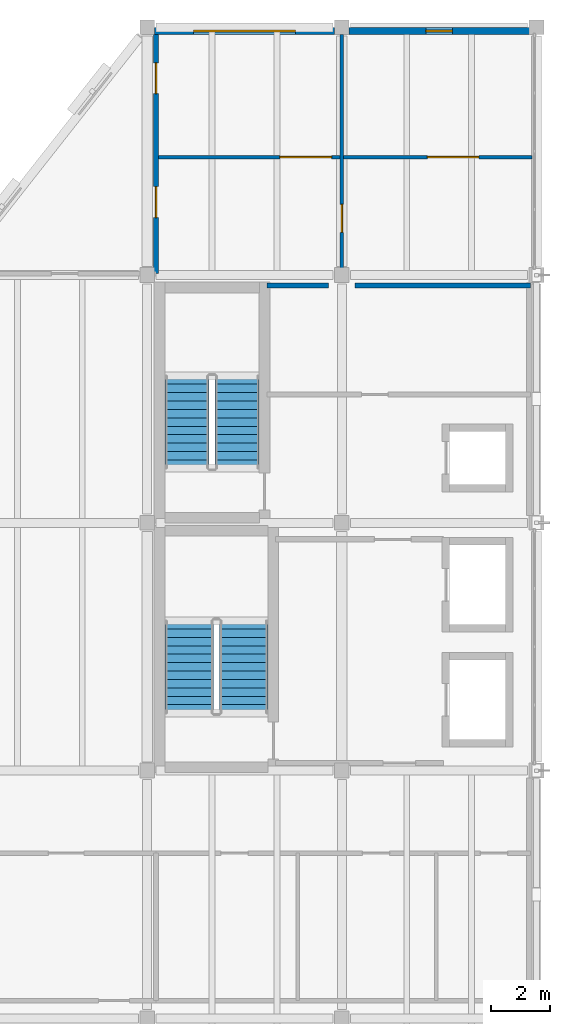
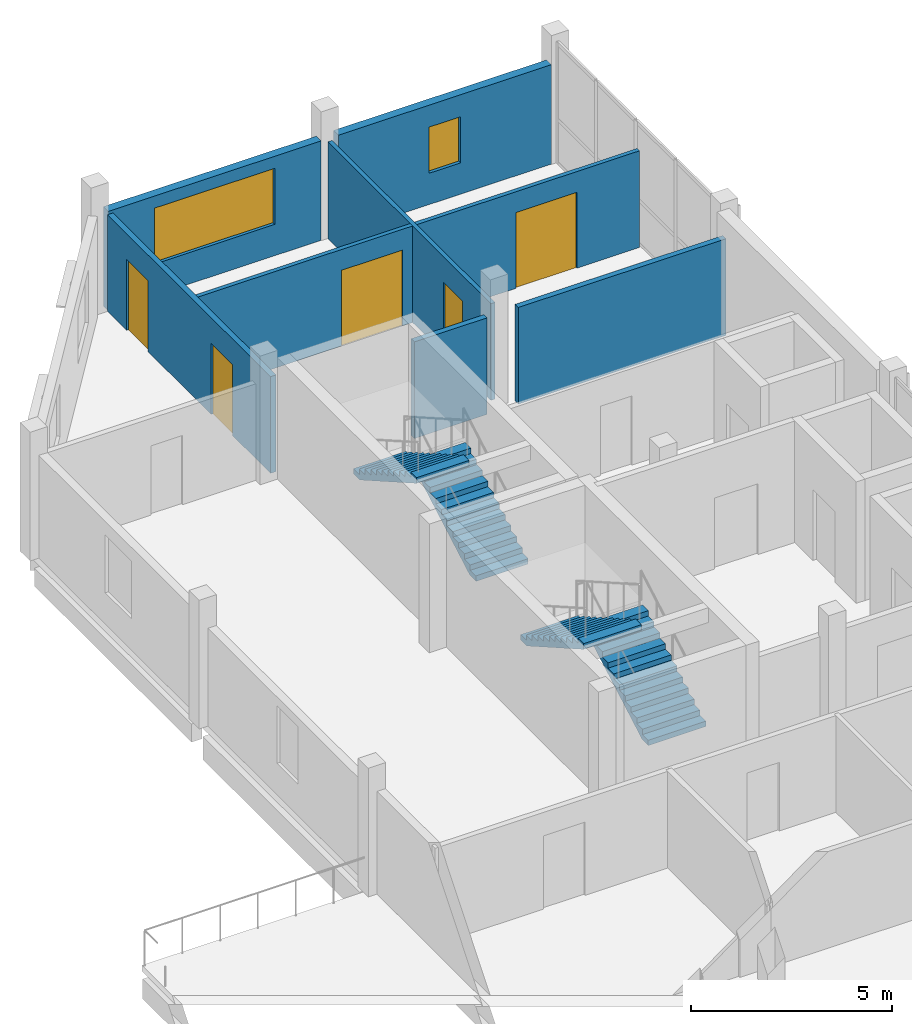
# One storey, part 6 of 9: 7 walls, 5 doors, 4 stair flights, 2 windows, 7 openings, 2 elements without a shape of their own.
"""IFC4 building model written with IfcOpenShell, lengths in metres."""

from ifc_helpers import new_model, si_unit, direction, frame, frame_2d, origin, place, context, subcontext, project, spatial, polyline, rectangle, outline, extrude, material, layer, layer_set, type_object, element, fill, aggregate, save


model = new_model("IFC4")

# Units and contexts
model_context = context("Model", 3, precision=1e-05, world=origin(), true_north=direction((0.0, 1.0)))
body_context = subcontext(model_context, "Body", "Model", "MODEL_VIEW")
ifc_project = project(units=[si_unit("LENGTHUNIT", "METRE"), si_unit("AREAUNIT", "SQUARE_METRE"), si_unit("VOLUMEUNIT", "CUBIC_METRE"), si_unit("PLANEANGLEUNIT", "RADIAN"), si_unit("MASSUNIT", "GRAM", prefix="KILO")], contexts=[model_context])

# Site, building, storey
site_placement = place(None, origin())
site = spatial("IfcSite", under=ifc_project, at=site_placement, CompositionType="ELEMENT")
building_placement = place(site_placement, origin())
building = spatial("IfcBuilding", under=site, at=building_placement, Name="Qaldarim Faculty of Natural and Applied Sciences", CompositionType="ELEMENT")
storey_placement = place(building_placement, frame((0.0, 0.0, 43.199951171875)))
storey = spatial("IfcBuildingStorey", under=building, at=storey_placement, Name="L10", CompositionType="ELEMENT", Elevation=43.199951171875)

# Wall, opening, door
ifc_material_1 = material(Name="Painted gypsum partition board")
ifc_layer_1 = layer(ifc_material_1, 0.1201171875)
ifc_layer_set_1 = layer_set([ifc_layer_1], Name="Painted gypsum partition board")
wall_type_1 = type_object("IfcWallType", Name="AcousticPartition-120", PredefinedType="PARTITIONING", material=ifc_layer_set_1)
wall_1_placement = place(storey_placement, frame((171.60009765625, 33.64990234375, 0.0), z_axis=(0.0, 0.0, 1.0), x_axis=(0.0, 1.0, 0.0)))
wall_1 = element("IfcWall", 1, at=wall_1_placement, inside=storey, type_object=wall_type_1, Name="Interior partition PRT-L10-U-D1", PredefinedType="PARTITIONING", context=body_context, shape_type="SweptSolid", body=[
    extrude(rectangle(XDim=8.10009765625, YDim=0.1201171875, at=frame_2d((4.050048828125, 0.0))), origin(), (0.0, 0.0, 1.0), 2.929931640625),
])
opening_1_placement = place(wall_1_placement, frame((1.39990234375, 0.0, 0.0)))
opening_1 = element("IfcOpeningElement", 2, at=opening_1_placement, cuts=wall_1, Name="Opening ID01", PredefinedType="OPENING", context=body_context, shape_type="SweptSolid", body=[
    extrude(rectangle(XDim=0.949951171875, YDim=2.14990234375, at=frame_2d((0.47509765625, 1.074951171875))), frame((0.0, 0.070068359375, 0.0), z_axis=(0.0, -1.0, 0.0), x_axis=(1.0, 0.0, 0.0)), (0.0, 0.0, 1.0), 0.14013671875),
])
ifc_material_2 = material(Name="Oak hardwood", Category="wood")
door_type_1 = type_object("IfcDoorType", Name="SingleRoomDoor-950x2150", OperationType="NOTDEFINED", PredefinedType="DOOR", material=ifc_material_2)
door_1_placement = place(opening_1_placement, origin())
door_1 = element("IfcDoor", 3, at=door_1_placement, inside=storey, type_object=door_type_1, Name="Interior door D-L10-290", OperationType="SINGLE_SWING_LEFT", OverallHeight=2.14990234375, OverallWidth=0.949951171875, PredefinedType="DOOR", context=body_context, shape_type="SweptSolid", body=[
    extrude(rectangle(XDim=0.949951171875, YDim=2.14990234375, at=frame_2d((0.47509765625, 1.074951171875))), frame((0.0, 0.02490234375, 0.0), z_axis=(0.0, -1.0, 0.0), x_axis=(1.0, 0.0, 0.0)), (0.0, 0.0, 1.0), 0.050048828125),
])
fill(opening_1, door_1)

# Wall, openings, doors
wall_2_placement = place(storey_placement, frame((165.300048828125, 37.60009765625, 0.0), z_axis=(0.0, 0.0, 1.0), x_axis=(1.0, 0.0, 0.0)))
wall_2 = element("IfcWall", 4, at=wall_2_placement, inside=storey, type_object=wall_type_1, Name="Interior partition PRT-L10-V5-USUB-1", PredefinedType="PARTITIONING", context=body_context, shape_type="SweptSolid", body=[
    extrude(rectangle(XDim=12.75, YDim=0.1201171875, at=frame_2d((6.375, 0.0))), origin(), (0.0, 0.0, 1.0), 2.929931640625),
])
opening_2_placement = place(wall_2_placement, frame((4.199951171875, 0.0, 0.0)))
opening_2 = element("IfcOpeningElement", 5, at=opening_2_placement, cuts=wall_2, Name="Opening ID12", PredefinedType="OPENING", context=body_context, shape_type="SweptSolid", body=[
    extrude(rectangle(XDim=1.75, YDim=2.300048828125, at=frame_2d((0.875, 1.14990234375))), frame((0.0, 0.070068359375, 0.0), z_axis=(0.0, -1.0, 0.0), x_axis=(1.0, 0.0, 0.0)), (0.0, 0.0, 1.0), 0.14013671875),
])
opening_3_placement = place(wall_2_placement, frame((9.199951171875, 0.0, 0.0)))
opening_3 = element("IfcOpeningElement", 6, at=opening_3_placement, cuts=wall_2, Name="Opening ID12", PredefinedType="OPENING", context=body_context, shape_type="SweptSolid", body=[
    extrude(rectangle(XDim=1.75, YDim=2.300048828125, at=frame_2d((0.875, 1.14990234375))), frame((0.0, 0.070068359375, 0.0), z_axis=(0.0, -1.0, 0.0), x_axis=(1.0, 0.0, 0.0)), (0.0, 0.0, 1.0), 0.14013671875),
])
ifc_material_3 = material(Name="Architectural stainless steel 316", Category="steel")
door_type_2 = type_object("IfcDoorType", Name="WorkshopDoubleDoor-1750x2300", OperationType="NOTDEFINED", PredefinedType="DOOR", material=ifc_material_3)
door_2_placement = place(opening_2_placement, origin())
door_2 = element("IfcDoor", 7, at=door_2_placement, inside=storey, type_object=door_type_2, Name="Interior door D-L10-362", OperationType="SINGLE_SWING_LEFT", OverallHeight=2.300048828125, OverallWidth=1.75, PredefinedType="DOOR", context=body_context, shape_type="SweptSolid", body=[
    extrude(rectangle(XDim=1.75, YDim=2.300048828125, at=frame_2d((0.875, 1.14990234375))), frame((0.0, 0.02490234375, 0.0), z_axis=(0.0, -1.0, 0.0), x_axis=(1.0, 0.0, 0.0)), (0.0, 0.0, 1.0), 0.050048828125),
])
fill(opening_2, door_2)
door_3_placement = place(opening_3_placement, origin())
door_3 = element("IfcDoor", 8, at=door_3_placement, inside=storey, type_object=door_type_2, Name="Interior door D-L10-363", OperationType="SINGLE_SWING_RIGHT", OverallHeight=2.300048828125, OverallWidth=1.75, PredefinedType="DOOR", context=body_context, shape_type="SweptSolid", body=[
    extrude(rectangle(XDim=1.75, YDim=2.300048828125, at=frame_2d((0.875, 1.14990234375))), frame((0.0, 0.02490234375, 0.0), z_axis=(0.0, -1.0, 0.0), x_axis=(1.0, 0.0, 0.0)), (0.0, 0.0, 1.0), 0.050048828125),
])
fill(opening_3, door_3)

# Wall, opening, window
ifc_material_4 = material(Name="Precast concrete C40/50", Category="concrete")
ifc_layer_2 = layer(ifc_material_4, 0.239990234375)
ifc_layer_set_2 = layer_set([ifc_layer_2], Name="Precast concrete C40/50")
wall_type_2 = type_object("IfcWallType", Name="ExteriorInsulatedWall-240", PredefinedType="SOLIDWALL", material=ifc_layer_set_2)
wall_3_placement = place(storey_placement, frame((171.35498046875, 41.8798828125, 0.0), z_axis=(0.0, 0.0, 1.0), x_axis=(-1.0, 0.0, 0.0)))
wall_3 = element("IfcWall", 9, at=wall_3_placement, inside=storey, type_object=wall_type_2, Name="Exterior wall EW03 L10 N X26Y05", PredefinedType="SOLIDWALL", context=body_context, shape_type="SweptSolid", body=[
    extrude(rectangle(XDim=6.10986328125, YDim=0.239990234375, at=frame_2d((3.054931640625, 0.0))), origin(), (0.0, 0.0, 1.0), 3.01513671875),
])
opening_4_placement = place(wall_3_placement, frame((1.330078125, 0.0, 0.949951171875)))
opening_4 = element("IfcOpeningElement", 10, at=opening_4_placement, cuts=wall_3, Name="Opening WN16", PredefinedType="OPENING", context=body_context, shape_type="SweptSolid", body=[
    extrude(rectangle(XDim=3.449951171875, YDim=1.699951171875, at=frame_2d((1.72509765625, 0.85009765625))), frame((0.0, 0.1298828125, 0.0), z_axis=(0.0, -1.0, 0.0), x_axis=(1.0, 0.0, 0.0)), (0.0, 0.0, 1.0), 0.260009765625),
])
ifc_material_5 = material(Name="Insulated low-e double glazing", Category="glass")
window_type_1 = type_object("IfcWindowType", Name="LabWindow-3450x1700", PartitioningType="TRIPLE_PANEL_VERTICAL", PredefinedType="WINDOW", material=ifc_material_5)
window_1_placement = place(opening_4_placement, origin())
window_1 = element("IfcWindow", 11, at=window_1_placement, inside=storey, type_object=window_type_1, Name="Facade window WN16 L10 N X26Y05", OverallHeight=1.699951171875, OverallWidth=3.449951171875, PartitioningType="SINGLE_PANEL", PredefinedType="WINDOW", context=body_context, shape_type="SweptSolid", body=[
    extrude(rectangle(XDim=3.449951171875, YDim=1.699951171875, at=frame_2d((1.72509765625, 0.85009765625))), frame((0.0, 0.030029296875, 0.0), z_axis=(0.0, -1.0, 0.0), x_axis=(1.0, 0.0, 0.0)), (0.0, 0.0, 1.0), 0.06005859375),
])
fill(opening_4, window_1)

wall_4_placement = place(storey_placement, frame((177.955078125, 41.8798828125, 0.0), z_axis=(0.0, 0.0, 1.0), x_axis=(-1.0, 0.0, 0.0)))
wall_4 = element("IfcWall", 12, at=wall_4_placement, inside=storey, type_object=wall_type_2, Name="Exterior wall EW03 L10 N X27Y05", PredefinedType="SOLIDWALL", context=body_context, shape_type="SweptSolid", body=[
    extrude(rectangle(XDim=6.110107421875, YDim=0.239990234375, at=frame_2d((3.05517578125, 0.0))), origin(), (0.0, 0.0, 1.0), 3.01513671875),
])
opening_5_placement = place(wall_4_placement, frame((2.60498046875, 0.0, 0.949951171875)))
opening_5 = element("IfcOpeningElement", 13, at=opening_5_placement, cuts=wall_4, Name="Opening WN05", PredefinedType="OPENING", context=body_context, shape_type="SweptSolid", body=[
    extrude(rectangle(XDim=0.89990234375, YDim=1.39990234375, at=frame_2d((0.449951171875, 0.699951171875))), frame((0.0, 0.1298828125, 0.0), z_axis=(0.0, -1.0, 0.0), x_axis=(1.0, 0.0, 0.0)), (0.0, 0.0, 1.0), 0.260009765625),
])
window_type_2 = type_object("IfcWindowType", Name="Window-900x1400", PartitioningType="SINGLE_PANEL", PredefinedType="WINDOW", material=ifc_material_5)
window_2_placement = place(opening_5_placement, origin())
window_2 = element("IfcWindow", 14, at=window_2_placement, inside=storey, type_object=window_type_2, Name="Facade window WN25 L10 N X27Y05", OverallHeight=1.39990234375, OverallWidth=0.89990234375, PartitioningType="SINGLE_PANEL", PredefinedType="WINDOW", context=body_context, shape_type="SweptSolid", body=[
    extrude(rectangle(XDim=0.89990234375, YDim=1.39990234375, at=frame_2d((0.449951171875, 0.699951171875))), frame((0.0, 0.030029296875, 0.0), z_axis=(0.0, -1.0, 0.0), x_axis=(1.0, 0.0, 0.0)), (0.0, 0.0, 1.0), 0.06005859375),
])
fill(opening_5, window_2)

# Wall, openings, doors
ifc_material_6 = material(Name="Concrete C40/50", Category="concrete")
ifc_layer_3 = layer(ifc_material_6, 0.159912109375)
ifc_layer_set_3 = layer_set([ifc_layer_3], Name="Concrete C40/50")
wall_type_3 = type_object("IfcWallType", Name="FireCorridorWall-160", PredefinedType="PARTITIONING", material=ifc_layer_set_3)
wall_5_placement = place(storey_placement, frame((165.300048828125, 33.64990234375, 0.0), z_axis=(0.0, 0.0, 1.0), x_axis=(0.0, 1.0, 0.0)))
wall_5 = element("IfcWall", 15, at=wall_5_placement, inside=storey, type_object=wall_type_3, Name="Interior partition PRT-L10-U-NW", PredefinedType="PARTITIONING", context=body_context, shape_type="SweptSolid", body=[
    extrude(rectangle(XDim=8.10009765625, YDim=0.159912109375, at=frame_2d((4.050048828125, 0.0))), origin(), (0.0, 0.0, 1.0), 2.929931640625),
])
opening_6_placement = place(wall_5_placement, frame((1.89990234375, 0.0, 0.0)))
opening_6 = element("IfcOpeningElement", 16, at=opening_6_placement, cuts=wall_5, Name="Opening ID02", PredefinedType="OPENING", context=body_context, shape_type="SweptSolid", body=[
    extrude(rectangle(XDim=1.050048828125, YDim=2.14990234375, at=frame_2d((0.52490234375, 1.074951171875))), frame((0.0, 0.08984375, 0.0), z_axis=(0.0, -1.0, 0.0), x_axis=(1.0, 0.0, 0.0)), (0.0, 0.0, 1.0), 0.179931640625),
])
opening_7_placement = place(wall_5_placement, frame((6.10009765625, 0.0, 0.0)))
opening_7 = element("IfcOpeningElement", 17, at=opening_7_placement, cuts=wall_5, Name="Opening ID02", PredefinedType="OPENING", context=body_context, shape_type="SweptSolid", body=[
    extrude(rectangle(XDim=1.050048828125, YDim=2.14990234375, at=frame_2d((0.52490234375, 1.074951171875))), frame((0.0, 0.08984375, 0.0), z_axis=(0.0, -1.0, 0.0), x_axis=(1.0, 0.0, 0.0)), (0.0, 0.0, 1.0), 0.179931640625),
])
door_type_3 = type_object("IfcDoorType", Name="AccessibleRoomDoor-1050x2150", OperationType="NOTDEFINED", PredefinedType="DOOR", material=ifc_material_2)
door_4_placement = place(opening_6_placement, origin())
door_4 = element("IfcDoor", 18, at=door_4_placement, inside=storey, type_object=door_type_3, Name="Interior door D-L10-287", OperationType="SINGLE_SWING_LEFT", OverallHeight=2.14990234375, OverallWidth=1.050048828125, PredefinedType="DOOR", context=body_context, shape_type="SweptSolid", body=[
    extrude(rectangle(XDim=1.050048828125, YDim=2.14990234375, at=frame_2d((0.52490234375, 1.074951171875))), frame((0.0, 0.02490234375, 0.0), z_axis=(0.0, -1.0, 0.0), x_axis=(1.0, 0.0, 0.0)), (0.0, 0.0, 1.0), 0.050048828125),
])
fill(opening_6, door_4)
door_5_placement = place(opening_7_placement, origin())
door_5 = element("IfcDoor", 19, at=door_5_placement, inside=storey, type_object=door_type_3, Name="Interior door D-L10-288", OperationType="SINGLE_SWING_RIGHT", OverallHeight=2.14990234375, OverallWidth=1.050048828125, PredefinedType="DOOR", context=body_context, shape_type="SweptSolid", body=[
    extrude(rectangle(XDim=1.050048828125, YDim=2.14990234375, at=frame_2d((0.52490234375, 1.074951171875))), frame((0.0, 0.02490234375, 0.0), z_axis=(0.0, -1.0, 0.0), x_axis=(1.0, 0.0, 0.0)), (0.0, 0.0, 1.0), 0.050048828125),
])
fill(opening_7, door_5)

# Walls
wall_6_placement = place(storey_placement, frame((169.070068359375, 33.25, 0.0), z_axis=(0.0, 0.0, 1.0), x_axis=(1.0, 0.0, 0.0)))
element("IfcWall", 20, at=wall_6_placement, inside=storey, type_object=wall_type_3, Name="Interior partition PRT-L10-V5-NEN-S1", PredefinedType="PARTITIONING", context=body_context, shape_type="SweptSolid", body=[
    extrude(rectangle(XDim=2.079833984375, YDim=0.159912109375, at=frame_2d((1.0400390625, 0.0))), origin(), (0.0, 0.0, 1.0), 2.929931640625),
])
wall_7_placement = place(storey_placement, frame((172.050048828125, 33.25, 0.0), z_axis=(0.0, 0.0, 1.0), x_axis=(1.0, 0.0, 0.0)))
element("IfcWall", 21, at=wall_7_placement, inside=storey, type_object=wall_type_3, Name="Interior partition PRT-L10-V5-NEN-S2", PredefinedType="PARTITIONING", context=body_context, shape_type="SweptSolid", body=[
    extrude(rectangle(XDim=5.949951171875, YDim=0.159912109375, at=frame_2d((2.97509765625, 0.0))), origin(), (0.0, 0.0, 1.0), 2.929931640625),
])

# Stair, stair flights
stair_type_1 = type_object("IfcStairType", Name="DoglegStair-W1500-H3900-24R", PredefinedType="HALF_TURN_STAIR", material=ifc_material_6)
stair_1_placement = place(storey_placement, origin())
stair_1 = element("IfcStair", 22, at=stair_1_placement, inside=storey, type_object=stair_type_1, Name="Enclosed exit stair ST-A2 L10", PredefinedType="HALF_TURN_STAIR")
stair_flight_type_1 = type_object("IfcStairFlightType", Name="StairFlight-W1500-12R", PredefinedType="STRAIGHT", material=ifc_material_6)
stair_flight_1_placement = place(storey_placement, frame((168.050048828125, 27.050048828125, 0.0), z_axis=(0.0, 0.0, 1.0), x_axis=(0.0, 1.0, 0.0)))
stair_flight_1 = element("IfcStairFlight", 23, at=stair_flight_1_placement, type_object=stair_flight_type_1, Name="ST-A2 L10 flight 1", NumberOfRisers=12, NumberOfTreads=11, PredefinedType="STRAIGHT", RiserHeight=0.1625, TreadLength=0.285, context=body_context, shape_type="SweptSolid", body=[
    extrude(outline(polyline([(0.0, 0.0), (0.0, 0.16259765625), (0.284912109375, 0.16259765625), (0.284912109375, 0.324951171875), (0.570068359375, 0.324951171875), (0.570068359375, 0.487548828125), (0.85498046875, 0.487548828125), (0.85498046875, 0.64990234375), (1.139892578125, 0.64990234375), (1.139892578125, 0.8125), (1.425048828125, 0.8125), (1.425048828125, 0.97509765625), (1.7099609375, 0.97509765625), (1.7099609375, 1.137451171875), (1.9951171875, 1.137451171875), (1.9951171875, 1.300048828125), (2.280029296875, 1.300048828125), (2.280029296875, 1.46240234375), (2.56494140625, 1.46240234375), (2.56494140625, 1.625), (2.85009765625, 1.625), (2.85009765625, 1.78759765625), (3.135009765625, 1.78759765625), (3.135009765625, 1.949951171875), (3.135009765625, 1.614990234375), (0.302734375, 0.0), (0.0, 0.0)])), frame((0.0, 0.75, 0.0), z_axis=(0.0, -1.0, 0.0), x_axis=(1.0, 0.0, 0.0)), (0.0, 0.0, 1.0), 1.5),
])
stair_flight_2_placement = place(storey_placement, frame((166.35009765625, 30.18505859375, 1.949951171875), z_axis=(0.0, 0.0, 1.0), x_axis=(0.0, -1.0, 0.0)))
stair_flight_2 = element("IfcStairFlight", 24, at=stair_flight_2_placement, type_object=stair_flight_type_1, Name="ST-A2 L10 flight 2", NumberOfRisers=12, NumberOfTreads=11, PredefinedType="STRAIGHT", RiserHeight=0.1625, TreadLength=0.285, context=body_context, shape_type="SweptSolid", body=[
    extrude(outline(polyline([(0.0, 0.0), (0.0, 0.16259765625), (0.284912109375, 0.16259765625), (0.284912109375, 0.324951171875), (0.570068359375, 0.324951171875), (0.570068359375, 0.487548828125), (0.85498046875, 0.487548828125), (0.85498046875, 0.64990234375), (1.139892578125, 0.64990234375), (1.139892578125, 0.8125), (1.425048828125, 0.8125), (1.425048828125, 0.97509765625), (1.7099609375, 0.97509765625), (1.7099609375, 1.137451171875), (1.9951171875, 1.137451171875), (1.9951171875, 1.300048828125), (2.280029296875, 1.300048828125), (2.280029296875, 1.46240234375), (2.56494140625, 1.46240234375), (2.56494140625, 1.625), (2.85009765625, 1.625), (2.85009765625, 1.78759765625), (3.135009765625, 1.78759765625), (3.135009765625, 1.949951171875), (3.135009765625, 1.614990234375), (0.302734375, 0.0), (0.0, 0.0)])), frame((0.0, 0.75, 0.0), z_axis=(0.0, -1.0, 0.0), x_axis=(1.0, 0.0, 0.0)), (0.0, 0.0, 1.0), 1.5),
])
aggregate(stair_1, [stair_flight_1, stair_flight_2])

stair_type_2 = type_object("IfcStairType", Name="DoglegStair-W1650-H3900-24R", PredefinedType="HALF_TURN_STAIR", material=ifc_material_6)
stair_2_placement = place(storey_placement, origin())
stair_2 = element("IfcStair", 25, at=stair_2_placement, inside=storey, type_object=stair_type_2, Name="Enclosed exit stair ST-A1 L10", PredefinedType="HALF_TURN_STAIR")
stair_flight_type_2 = type_object("IfcStairFlightType", Name="StairFlight-W1650-12R", PredefinedType="STRAIGHT", material=ifc_material_6)
stair_flight_3_placement = place(storey_placement, frame((168.27490234375, 18.75, 0.0), z_axis=(0.0, 0.0, 1.0), x_axis=(0.0, 1.0, 0.0)))
stair_flight_3 = element("IfcStairFlight", 26, at=stair_flight_3_placement, type_object=stair_flight_type_2, Name="ST-A1 L10 flight 1", NumberOfRisers=12, NumberOfTreads=11, PredefinedType="STRAIGHT", RiserHeight=0.1625, TreadLength=0.285, context=body_context, shape_type="SweptSolid", body=[
    extrude(outline(polyline([(0.0, 0.0), (0.0, 0.16259765625), (0.284912109375, 0.16259765625), (0.284912109375, 0.324951171875), (0.570068359375, 0.324951171875), (0.570068359375, 0.487548828125), (0.85498046875, 0.487548828125), (0.85498046875, 0.64990234375), (1.139892578125, 0.64990234375), (1.139892578125, 0.8125), (1.425048828125, 0.8125), (1.425048828125, 0.97509765625), (1.7099609375, 0.97509765625), (1.7099609375, 1.137451171875), (1.9951171875, 1.137451171875), (1.9951171875, 1.300048828125), (2.280029296875, 1.300048828125), (2.280029296875, 1.46240234375), (2.56494140625, 1.46240234375), (2.56494140625, 1.625), (2.85009765625, 1.625), (2.85009765625, 1.78759765625), (3.135009765625, 1.78759765625), (3.135009765625, 1.949951171875), (3.135009765625, 1.614990234375), (0.302734375, 0.0), (0.0, 0.0)])), frame((0.0, 0.824951171875, 0.0), z_axis=(0.0, -1.0, 0.0), x_axis=(1.0, 0.0, 0.0)), (0.0, 0.0, 1.0), 1.64990234375),
])
stair_flight_4_placement = place(storey_placement, frame((166.425048828125, 21.885009765625, 1.949951171875), z_axis=(0.0, 0.0, 1.0), x_axis=(0.0, -1.0, 0.0)))
stair_flight_4 = element("IfcStairFlight", 27, at=stair_flight_4_placement, type_object=stair_flight_type_2, Name="ST-A1 L10 flight 2", NumberOfRisers=12, NumberOfTreads=11, PredefinedType="STRAIGHT", RiserHeight=0.1625, TreadLength=0.285, context=body_context, shape_type="SweptSolid", body=[
    extrude(outline(polyline([(0.0, 0.0), (0.0, 0.16259765625), (0.284912109375, 0.16259765625), (0.284912109375, 0.324951171875), (0.570068359375, 0.324951171875), (0.570068359375, 0.487548828125), (0.85498046875, 0.487548828125), (0.85498046875, 0.64990234375), (1.139892578125, 0.64990234375), (1.139892578125, 0.8125), (1.425048828125, 0.8125), (1.425048828125, 0.97509765625), (1.7099609375, 0.97509765625), (1.7099609375, 1.137451171875), (1.9951171875, 1.137451171875), (1.9951171875, 1.300048828125), (2.280029296875, 1.300048828125), (2.280029296875, 1.46240234375), (2.56494140625, 1.46240234375), (2.56494140625, 1.625), (2.85009765625, 1.625), (2.85009765625, 1.78759765625), (3.135009765625, 1.78759765625), (3.135009765625, 1.949951171875), (3.135009765625, 1.614990234375), (0.302734375, 0.0), (0.0, 0.0)])), frame((0.0, 0.824951171875, 0.0), z_axis=(0.0, -1.0, 0.0), x_axis=(1.0, 0.0, 0.0)), (0.0, 0.0, 1.0), 1.64990234375),
])
aggregate(stair_2, [stair_flight_3, stair_flight_4])

save(model, "model.ifc")
